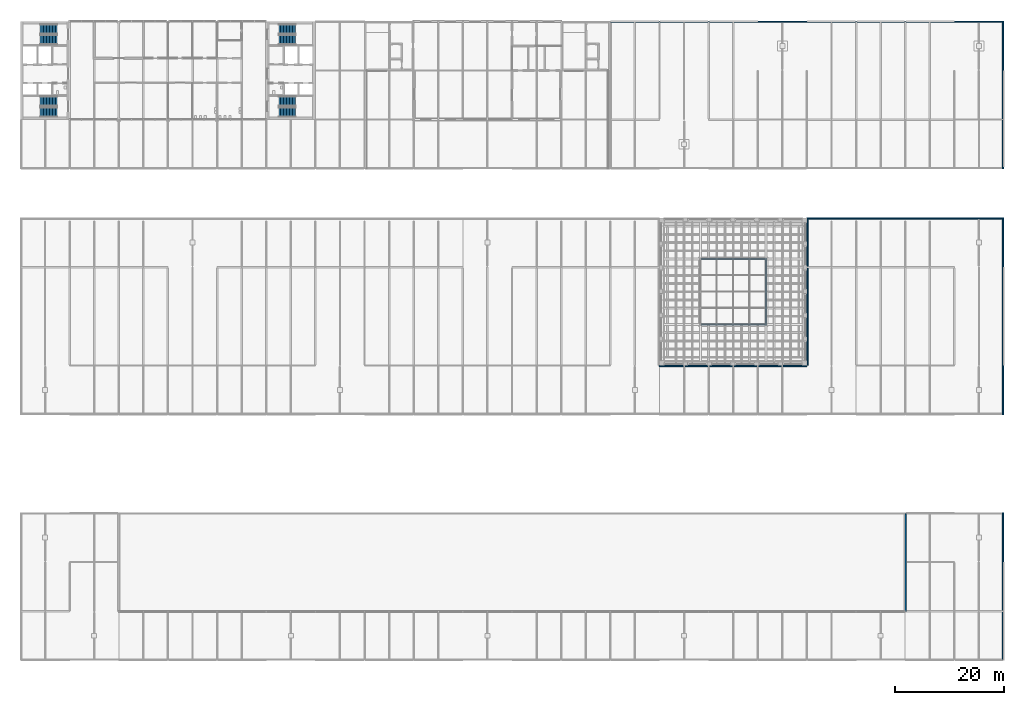
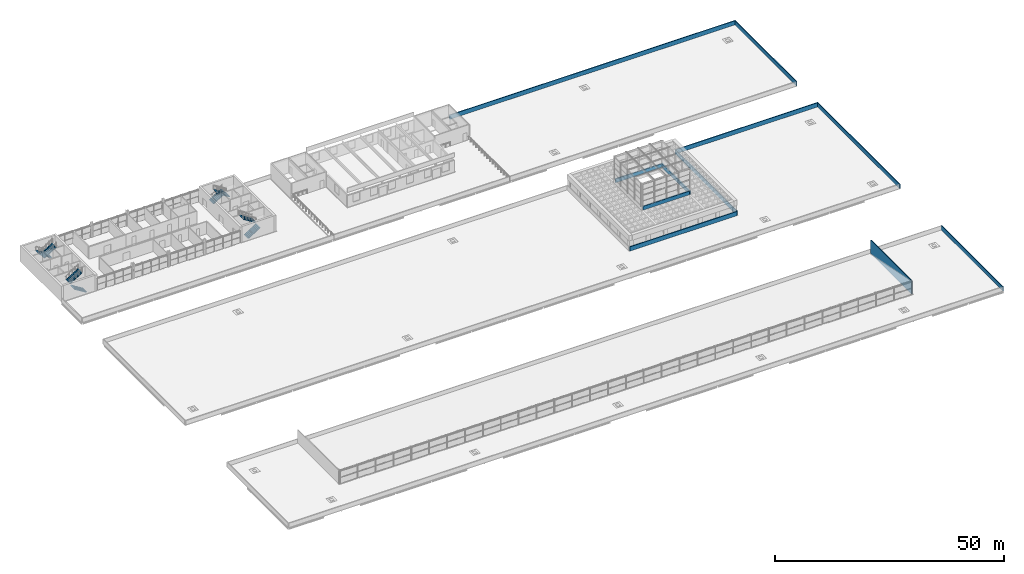
# One storey, part 48 of 50: 11 walls, 8 stair flights, 4 elements without a shape of their own.
"""IFC4 building model written with IfcOpenShell, lengths in metres."""

from ifc_helpers import new_model, si_unit, direction, frame, frame_2d, origin, place, context, subcontext, project, spatial, polyline, rectangle, outline, extrude, material, layer, layer_set, type_object, element, aggregate, save


model = new_model("IFC4")

# Units and contexts
model_context = context("Model", 3, precision=1e-05, world=origin(), true_north=direction((0.0, 1.0)))
body_context = subcontext(model_context, "Body", "Model", "MODEL_VIEW")
ifc_project = project(units=[si_unit("LENGTHUNIT", "METRE"), si_unit("AREAUNIT", "SQUARE_METRE"), si_unit("VOLUMEUNIT", "CUBIC_METRE"), si_unit("PLANEANGLEUNIT", "RADIAN"), si_unit("MASSUNIT", "GRAM", prefix="KILO")], contexts=[model_context])

# Site, building, storey
site_placement = place(None, origin())
site = spatial("IfcSite", under=ifc_project, at=site_placement, CompositionType="ELEMENT")
building_placement = place(site_placement, origin())
building = spatial("IfcBuilding", under=site, at=building_placement, Name="Corbel Yard City Hall", CompositionType="ELEMENT")
storey_placement = place(building_placement, frame((0.0, 0.0, 15.0)))
storey = spatial("IfcBuildingStorey", under=building, at=storey_placement, Name="L03", CompositionType="ELEMENT", Elevation=15.0)

# Walls
ifc_material_1 = material(Name="Concrete N50 (50 MPa)", Category="concrete")
ifc_layer_1 = layer(ifc_material_1, 0.300048828125)
ifc_layer_set_1 = layer_set([ifc_layer_1], Name="Concrete N50 (50 MPa)")
wall_type_1 = type_object("IfcWallType", Name="Lantern kerb wall 300", PredefinedType="SOLIDWALL", material=ifc_layer_set_1)
wall_1_placement = place(storey_placement, frame((136.5, 61.35009765625, 3.64990234375), z_axis=(0.0, 0.0, 1.0), x_axis=(0.0, 1.0, 0.0)))
element("IfcWall", 1, at=wall_1_placement, inside=storey, type_object=wall_type_1, Name="Lantern kerb east wall", PredefinedType="SOLIDWALL", context=body_context, shape_type="SweptSolid", body=[
    extrude(rectangle(XDim=12.2998046875, YDim=0.300048828125, at=frame_2d((6.14990234375, 0.0))), origin(), (0.0, 0.0, 1.0), 1.0),
])
for number, where, z_axis, x_axis, name in (
    (2, (124.64990234375, 61.5, 3.64990234375), (0.0, 0.0, 1.0), (1.0, 0.0, 0.0), "Lantern kerb south wall"),
    (3, (124.64990234375, 73.5, 3.64990234375), (0.0, 0.0, 1.0), (1.0, 0.0, 0.0), "Lantern kerb north wall"),
):
    element("IfcWall", number, at=place(storey_placement, frame(where, z_axis=z_axis, x_axis=x_axis)), inside=storey, type_object=wall_type_1, Name=name, PredefinedType="SOLIDWALL", context=body_context, shape_type="SweptSolid", body=[
        extrude(rectangle(XDim=11.7001953125, YDim=0.300048828125, at=frame_2d((5.85009765625, 0.0))), origin(), (0.0, 0.0, 1.0), 1.0),
    ])
ifc_material_2 = material(Name="Concrete N32 (32 MPa)", Category="concrete")
ifc_layer_2 = layer(ifc_material_2, 0.199951171875)
ifc_layer_set_2 = layer_set([ifc_layer_2], Name="Concrete N32 (32 MPa)")
wall_type_2 = type_object("IfcWallType", Name="PR1", PredefinedType="PARAPET", material=ifc_layer_set_2)
for number, where, z_axis, x_axis, name in (
    (4, (179.89990234375, 0.0, 0.0), (0.0, 0.0, 1.0), (0.0, 1.0, 0.0), "Roof parapet"),
    (5, (117.0, 53.89990234375, 0.0), (0.0, 0.0, 1.0), (1.0, 0.0, 0.0), "Roof parapet"),
):
    element("IfcWall", number, at=place(storey_placement, frame(where, z_axis=z_axis, x_axis=x_axis)), inside=storey, type_object=wall_type_2, Name=name, PredefinedType="PARAPET", context=body_context, shape_type="SweptSolid", body=[
        extrude(rectangle(XDim=27.0, YDim=0.199951171875, at=frame_2d((13.5, 0.0))), origin(), (0.0, 0.0, 1.0), 1.139892578125),
    ])
wall_2_placement = place(storey_placement, frame((144.0, 80.89990234375, 0.0), z_axis=(0.0, 0.0, 1.0), x_axis=(1.0, 0.0, 0.0)))
element("IfcWall", 6, at=wall_2_placement, inside=storey, type_object=wall_type_2, Name="Roof parapet", PredefinedType="PARAPET", context=body_context, shape_type="SweptSolid", body=[
    extrude(rectangle(XDim=36.0, YDim=0.199951171875, at=frame_2d((18.0, 0.0))), origin(), (0.0, 0.0, 1.0), 1.139892578125),
])
wall_3_placement = place(storey_placement, frame((144.10009765625, 54.0, 0.0), z_axis=(0.0, 0.0, 1.0), x_axis=(0.0, 1.0, 0.0)))
element("IfcWall", 7, at=wall_3_placement, inside=storey, type_object=wall_type_2, Name="Roof parapet", PredefinedType="PARAPET", context=body_context, shape_type="SweptSolid", body=[
    extrude(rectangle(XDim=27.0, YDim=0.199951171875, at=frame_2d((13.5, 0.0))), origin(), (0.0, 0.0, 1.0), 1.139892578125),
])
wall_4_placement = place(storey_placement, frame((179.89990234375, 45.0, 0.0), z_axis=(0.0, 0.0, 1.0), x_axis=(0.0, 1.0, 0.0)))
element("IfcWall", 8, at=wall_4_placement, inside=storey, type_object=wall_type_2, Name="Roof parapet", PredefinedType="PARAPET", context=body_context, shape_type="SweptSolid", body=[
    extrude(rectangle(XDim=36.0, YDim=0.199951171875, at=frame_2d((18.0, 0.0))), origin(), (0.0, 0.0, 1.0), 1.139892578125),
])
wall_5_placement = place(storey_placement, frame((108.0, 116.89990234375, 0.0), z_axis=(0.0, 0.0, 1.0), x_axis=(1.0, 0.0, 0.0)))
element("IfcWall", 9, at=wall_5_placement, inside=storey, type_object=wall_type_2, Name="Roof parapet", PredefinedType="PARAPET", context=body_context, shape_type="SweptSolid", body=[
    extrude(rectangle(XDim=72.0, YDim=0.199951171875, at=frame_2d((36.0, 0.0))), origin(), (0.0, 0.0, 1.0), 1.139892578125),
])
wall_6_placement = place(storey_placement, frame((179.89990234375, 90.0, 0.0), z_axis=(0.0, 0.0, 1.0), x_axis=(0.0, 1.0, 0.0)))
element("IfcWall", 10, at=wall_6_placement, inside=storey, type_object=wall_type_2, Name="Roof parapet", PredefinedType="PARAPET", context=body_context, shape_type="SweptSolid", body=[
    extrude(rectangle(XDim=27.0, YDim=0.199951171875, at=frame_2d((13.5, 0.0))), origin(), (0.0, 0.0, 1.0), 1.139892578125),
])
ifc_material_3 = material(Name="Anodised aluminium", Category="aluminium")
ifc_layer_3 = layer(ifc_material_3, 0.199951171875)
ifc_layer_set_3 = layer_set([ifc_layer_3], Name="Anodised aluminium")
wall_type_3 = type_object("IfcWallType", Name="PR6", PredefinedType="PARAPET", material=ifc_layer_set_3)
wall_7_placement = place(storey_placement, frame((162.10009765625, 9.0, 0.0), z_axis=(0.0, 0.0, 1.0), x_axis=(0.0, 1.0, 0.0)))
element("IfcWall", 11, at=wall_7_placement, inside=storey, type_object=wall_type_3, Name="Hall end screen wall", PredefinedType="PARAPET", context=body_context, shape_type="SweptSolid", body=[
    extrude(rectangle(XDim=17.800048828125, YDim=0.199951171875, at=frame_2d((8.89990234375, 0.0))), origin(), (0.0, 0.0, 1.0), 3.60009765625),
])

# Stair, stair flights
ifc_material_4 = material(Name="Concrete N40 (40 MPa)", Category="concrete")
stair_type = type_object("IfcStairType", Name="ST3", PredefinedType="HALF_TURN_STAIR", material=ifc_material_4)
stair_1_placement = place(storey_placement, origin())
stair_1 = element("IfcStair", 12, at=stair_1_placement, inside=storey, type_object=stair_type, Name="Exit stair ST-W1 L03", PredefinedType="HALF_TURN_STAIR")
stair_flight_type = type_object("IfcStairFlightType", Name="FL3", PredefinedType="STRAIGHT", material=ifc_material_4)
stair_flight_1_placement = place(storey_placement, frame((6.699951171875, 100.39990234375, 0.0), z_axis=(0.0, 0.0, 1.0), x_axis=(-1.0, 0.0, 0.0)))
stair_flight_1 = element("IfcStairFlight", 13, at=stair_flight_1_placement, type_object=stair_flight_type, Name="ST-W1 flight 1", NumberOfRisers=12, NumberOfTreads=11, PredefinedType="STRAIGHT", RiserHeight=0.175, TreadLength=0.28, context=body_context, shape_type="SweptSolid", body=[
    extrude(outline(polyline([(0.0, 0.0), (0.0, 0.175048828125), (0.280029296875, 0.175048828125), (0.280029296875, 0.35009765625), (0.56005859375, 0.35009765625), (0.56005859375, 0.52490234375), (0.840087890625, 0.52490234375), (0.840087890625, 0.699951171875), (1.1201171875, 0.699951171875), (1.1201171875, 0.875), (1.39990234375, 0.875), (1.39990234375, 1.050048828125), (1.679931640625, 1.050048828125), (1.679931640625, 1.22509765625), (1.9599609375, 1.22509765625), (1.9599609375, 1.39990234375), (2.239990234375, 1.39990234375), (2.239990234375, 1.574951171875), (2.52001953125, 1.574951171875), (2.52001953125, 1.75), (2.800048828125, 1.75), (2.800048828125, 1.925048828125), (3.080078125, 1.925048828125), (3.080078125, 2.10009765625), (3.080078125, 1.748291015625), (0.28271484375, 0.0), (0.0, 0.0)])), frame((0.0, 0.89990234375, 0.0), z_axis=(0.0, -1.0, 0.0), x_axis=(1.0, 0.0, 0.0)), (0.0, 0.0, 1.0), 1.800048828125),
])
stair_flight_2_placement = place(storey_placement, frame((3.6201171875, 102.39990234375, 2.10009765625), z_axis=(0.0, 0.0, 1.0), x_axis=(1.0, 0.0, 0.0)))
stair_flight_2 = element("IfcStairFlight", 14, at=stair_flight_2_placement, type_object=stair_flight_type, Name="ST-W1 flight 2", NumberOfRisers=12, NumberOfTreads=11, PredefinedType="STRAIGHT", RiserHeight=0.175, TreadLength=0.28, context=body_context, shape_type="SweptSolid", body=[
    extrude(outline(polyline([(0.0, 0.0), (0.0, 0.175048828125), (0.280029296875, 0.175048828125), (0.280029296875, 0.35009765625), (0.56005859375, 0.35009765625), (0.56005859375, 0.52490234375), (0.840087890625, 0.52490234375), (0.840087890625, 0.699951171875), (1.1201171875, 0.699951171875), (1.1201171875, 0.875), (1.39990234375, 0.875), (1.39990234375, 1.050048828125), (1.679931640625, 1.050048828125), (1.679931640625, 1.22509765625), (1.9599609375, 1.22509765625), (1.9599609375, 1.39990234375), (2.239990234375, 1.39990234375), (2.239990234375, 1.574951171875), (2.52001953125, 1.574951171875), (2.52001953125, 1.75), (2.800048828125, 1.75), (2.800048828125, 1.925048828125), (3.080078125, 1.925048828125), (3.080078125, 2.10009765625), (3.080078125, 1.748291015625), (0.28271484375, 0.0), (0.0, 0.0)])), frame((0.0, 0.89990234375, 0.0), z_axis=(0.0, -1.0, 0.0), x_axis=(1.0, 0.0, 0.0)), (0.0, 0.0, 1.0), 1.800048828125),
])
aggregate(stair_1, [stair_flight_1, stair_flight_2])

stair_2_placement = place(storey_placement, origin())
stair_2 = element("IfcStair", 15, at=stair_2_placement, inside=storey, type_object=stair_type, Name="Exit stair ST-W2 L03", PredefinedType="HALF_TURN_STAIR")
stair_flight_3_placement = place(storey_placement, frame((6.699951171875, 115.60009765625, 0.0), z_axis=(0.0, 0.0, 1.0), x_axis=(-1.0, 0.0, 0.0)))
stair_flight_3 = element("IfcStairFlight", 16, at=stair_flight_3_placement, type_object=stair_flight_type, Name="ST-W2 flight 1", NumberOfRisers=12, NumberOfTreads=11, PredefinedType="STRAIGHT", RiserHeight=0.175, TreadLength=0.28, context=body_context, shape_type="SweptSolid", body=[
    extrude(outline(polyline([(0.0, 0.0), (0.0, 0.175048828125), (0.280029296875, 0.175048828125), (0.280029296875, 0.35009765625), (0.56005859375, 0.35009765625), (0.56005859375, 0.52490234375), (0.840087890625, 0.52490234375), (0.840087890625, 0.699951171875), (1.1201171875, 0.699951171875), (1.1201171875, 0.875), (1.39990234375, 0.875), (1.39990234375, 1.050048828125), (1.679931640625, 1.050048828125), (1.679931640625, 1.22509765625), (1.9599609375, 1.22509765625), (1.9599609375, 1.39990234375), (2.239990234375, 1.39990234375), (2.239990234375, 1.574951171875), (2.52001953125, 1.574951171875), (2.52001953125, 1.75), (2.800048828125, 1.75), (2.800048828125, 1.925048828125), (3.080078125, 1.925048828125), (3.080078125, 2.10009765625), (3.080078125, 1.748291015625), (0.28271484375, 0.0), (0.0, 0.0)])), frame((0.0, 0.89990234375, 0.0), z_axis=(0.0, -1.0, 0.0), x_axis=(1.0, 0.0, 0.0)), (0.0, 0.0, 1.0), 1.800048828125),
])
stair_flight_4_placement = place(storey_placement, frame((3.6201171875, 113.60009765625, 2.10009765625), z_axis=(0.0, 0.0, 1.0), x_axis=(1.0, 0.0, 0.0)))
stair_flight_4 = element("IfcStairFlight", 17, at=stair_flight_4_placement, type_object=stair_flight_type, Name="ST-W2 flight 2", NumberOfRisers=12, NumberOfTreads=11, PredefinedType="STRAIGHT", RiserHeight=0.175, TreadLength=0.28, context=body_context, shape_type="SweptSolid", body=[
    extrude(outline(polyline([(0.0, 0.0), (0.0, 0.175048828125), (0.280029296875, 0.175048828125), (0.280029296875, 0.35009765625), (0.56005859375, 0.35009765625), (0.56005859375, 0.52490234375), (0.840087890625, 0.52490234375), (0.840087890625, 0.699951171875), (1.1201171875, 0.699951171875), (1.1201171875, 0.875), (1.39990234375, 0.875), (1.39990234375, 1.050048828125), (1.679931640625, 1.050048828125), (1.679931640625, 1.22509765625), (1.9599609375, 1.22509765625), (1.9599609375, 1.39990234375), (2.239990234375, 1.39990234375), (2.239990234375, 1.574951171875), (2.52001953125, 1.574951171875), (2.52001953125, 1.75), (2.800048828125, 1.75), (2.800048828125, 1.925048828125), (3.080078125, 1.925048828125), (3.080078125, 2.10009765625), (3.080078125, 1.748291015625), (0.28271484375, 0.0), (0.0, 0.0)])), frame((0.0, 0.89990234375, 0.0), z_axis=(0.0, -1.0, 0.0), x_axis=(1.0, 0.0, 0.0)), (0.0, 0.0, 1.0), 1.800048828125),
])
aggregate(stair_2, [stair_flight_3, stair_flight_4])

stair_3_placement = place(storey_placement, origin())
stair_3 = element("IfcStair", 18, at=stair_3_placement, inside=storey, type_object=stair_type, Name="Exit stair ST-E1 L03", PredefinedType="HALF_TURN_STAIR")
stair_flight_5_placement = place(storey_placement, frame((47.300048828125, 100.39990234375, 0.0), z_axis=(0.0, 0.0, 1.0), x_axis=(1.0, 0.0, 0.0)))
stair_flight_5 = element("IfcStairFlight", 19, at=stair_flight_5_placement, type_object=stair_flight_type, Name="ST-E1 flight 1", NumberOfRisers=12, NumberOfTreads=11, PredefinedType="STRAIGHT", RiserHeight=0.175, TreadLength=0.28, context=body_context, shape_type="SweptSolid", body=[
    extrude(outline(polyline([(0.0, 0.0), (0.0, 0.175048828125), (0.280029296875, 0.175048828125), (0.280029296875, 0.35009765625), (0.56005859375, 0.35009765625), (0.56005859375, 0.52490234375), (0.840087890625, 0.52490234375), (0.840087890625, 0.699951171875), (1.1201171875, 0.699951171875), (1.1201171875, 0.875), (1.39990234375, 0.875), (1.39990234375, 1.050048828125), (1.679931640625, 1.050048828125), (1.679931640625, 1.22509765625), (1.9599609375, 1.22509765625), (1.9599609375, 1.39990234375), (2.239990234375, 1.39990234375), (2.239990234375, 1.574951171875), (2.52001953125, 1.574951171875), (2.52001953125, 1.75), (2.800048828125, 1.75), (2.800048828125, 1.925048828125), (3.080078125, 1.925048828125), (3.080078125, 2.10009765625), (3.080078125, 1.748291015625), (0.28271484375, 0.0), (0.0, 0.0)])), frame((0.0, 0.89990234375, 0.0), z_axis=(0.0, -1.0, 0.0), x_axis=(1.0, 0.0, 0.0)), (0.0, 0.0, 1.0), 1.800048828125),
])
stair_flight_6_placement = place(storey_placement, frame((50.3798828125, 102.39990234375, 2.10009765625), z_axis=(0.0, 0.0, 1.0), x_axis=(-1.0, 0.0, 0.0)))
stair_flight_6 = element("IfcStairFlight", 20, at=stair_flight_6_placement, type_object=stair_flight_type, Name="ST-E1 flight 2", NumberOfRisers=12, NumberOfTreads=11, PredefinedType="STRAIGHT", RiserHeight=0.175, TreadLength=0.28, context=body_context, shape_type="SweptSolid", body=[
    extrude(outline(polyline([(0.0, 0.0), (0.0, 0.175048828125), (0.280029296875, 0.175048828125), (0.280029296875, 0.35009765625), (0.56005859375, 0.35009765625), (0.56005859375, 0.52490234375), (0.840087890625, 0.52490234375), (0.840087890625, 0.699951171875), (1.1201171875, 0.699951171875), (1.1201171875, 0.875), (1.39990234375, 0.875), (1.39990234375, 1.050048828125), (1.679931640625, 1.050048828125), (1.679931640625, 1.22509765625), (1.9599609375, 1.22509765625), (1.9599609375, 1.39990234375), (2.239990234375, 1.39990234375), (2.239990234375, 1.574951171875), (2.52001953125, 1.574951171875), (2.52001953125, 1.75), (2.800048828125, 1.75), (2.800048828125, 1.925048828125), (3.080078125, 1.925048828125), (3.080078125, 2.10009765625), (3.080078125, 1.748291015625), (0.28271484375, 0.0), (0.0, 0.0)])), frame((0.0, 0.89990234375, 0.0), z_axis=(0.0, -1.0, 0.0), x_axis=(1.0, 0.0, 0.0)), (0.0, 0.0, 1.0), 1.800048828125),
])
aggregate(stair_3, [stair_flight_5, stair_flight_6])

stair_4_placement = place(storey_placement, origin())
stair_4 = element("IfcStair", 21, at=stair_4_placement, inside=storey, type_object=stair_type, Name="Exit stair ST-E2 L03", PredefinedType="HALF_TURN_STAIR")
stair_flight_7_placement = place(storey_placement, frame((47.300048828125, 115.60009765625, 0.0), z_axis=(0.0, 0.0, 1.0), x_axis=(1.0, 0.0, 0.0)))
stair_flight_7 = element("IfcStairFlight", 22, at=stair_flight_7_placement, type_object=stair_flight_type, Name="ST-E2 flight 1", NumberOfRisers=12, NumberOfTreads=11, PredefinedType="STRAIGHT", RiserHeight=0.175, TreadLength=0.28, context=body_context, shape_type="SweptSolid", body=[
    extrude(outline(polyline([(0.0, 0.0), (0.0, 0.175048828125), (0.280029296875, 0.175048828125), (0.280029296875, 0.35009765625), (0.56005859375, 0.35009765625), (0.56005859375, 0.52490234375), (0.840087890625, 0.52490234375), (0.840087890625, 0.699951171875), (1.1201171875, 0.699951171875), (1.1201171875, 0.875), (1.39990234375, 0.875), (1.39990234375, 1.050048828125), (1.679931640625, 1.050048828125), (1.679931640625, 1.22509765625), (1.9599609375, 1.22509765625), (1.9599609375, 1.39990234375), (2.239990234375, 1.39990234375), (2.239990234375, 1.574951171875), (2.52001953125, 1.574951171875), (2.52001953125, 1.75), (2.800048828125, 1.75), (2.800048828125, 1.925048828125), (3.080078125, 1.925048828125), (3.080078125, 2.10009765625), (3.080078125, 1.748291015625), (0.28271484375, 0.0), (0.0, 0.0)])), frame((0.0, 0.89990234375, 0.0), z_axis=(0.0, -1.0, 0.0), x_axis=(1.0, 0.0, 0.0)), (0.0, 0.0, 1.0), 1.800048828125),
])
stair_flight_8_placement = place(storey_placement, frame((50.3798828125, 113.60009765625, 2.10009765625), z_axis=(0.0, 0.0, 1.0), x_axis=(-1.0, 0.0, 0.0)))
stair_flight_8 = element("IfcStairFlight", 23, at=stair_flight_8_placement, type_object=stair_flight_type, Name="ST-E2 flight 2", NumberOfRisers=12, NumberOfTreads=11, PredefinedType="STRAIGHT", RiserHeight=0.175, TreadLength=0.28, context=body_context, shape_type="SweptSolid", body=[
    extrude(outline(polyline([(0.0, 0.0), (0.0, 0.175048828125), (0.280029296875, 0.175048828125), (0.280029296875, 0.35009765625), (0.56005859375, 0.35009765625), (0.56005859375, 0.52490234375), (0.840087890625, 0.52490234375), (0.840087890625, 0.699951171875), (1.1201171875, 0.699951171875), (1.1201171875, 0.875), (1.39990234375, 0.875), (1.39990234375, 1.050048828125), (1.679931640625, 1.050048828125), (1.679931640625, 1.22509765625), (1.9599609375, 1.22509765625), (1.9599609375, 1.39990234375), (2.239990234375, 1.39990234375), (2.239990234375, 1.574951171875), (2.52001953125, 1.574951171875), (2.52001953125, 1.75), (2.800048828125, 1.75), (2.800048828125, 1.925048828125), (3.080078125, 1.925048828125), (3.080078125, 2.10009765625), (3.080078125, 1.748291015625), (0.28271484375, 0.0), (0.0, 0.0)])), frame((0.0, 0.89990234375, 0.0), z_axis=(0.0, -1.0, 0.0), x_axis=(1.0, 0.0, 0.0)), (0.0, 0.0, 1.0), 1.800048828125),
])
aggregate(stair_4, [stair_flight_7, stair_flight_8])

save(model, "model.ifc")
